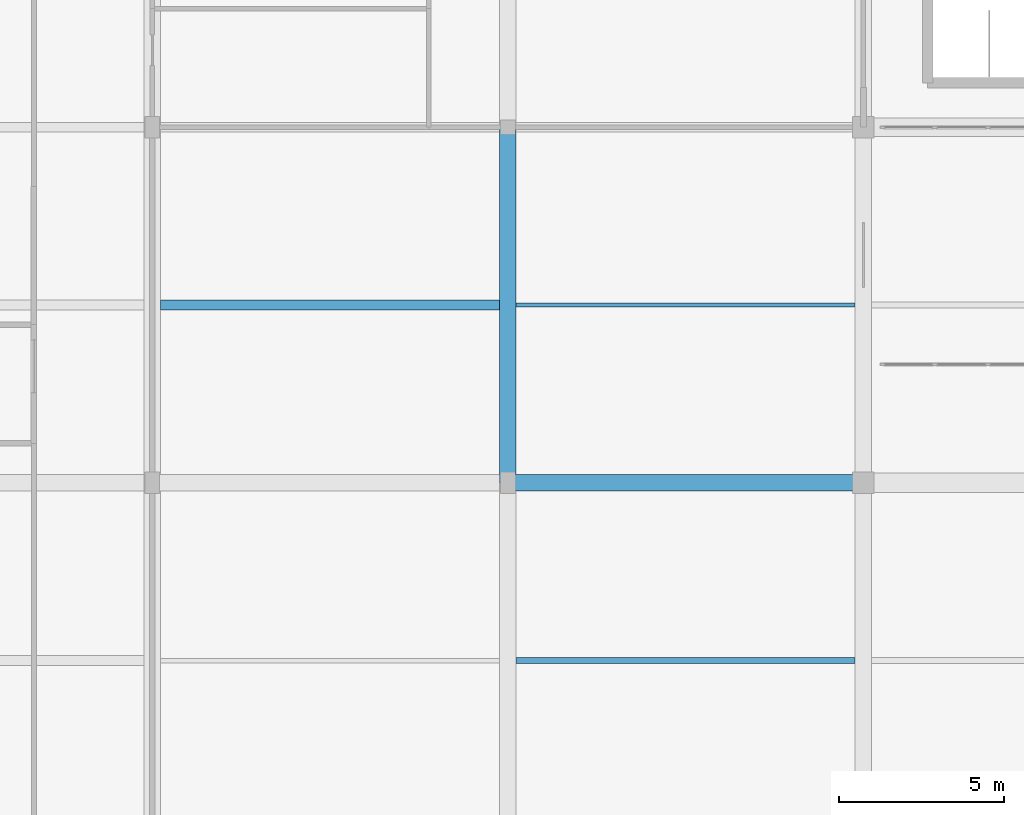
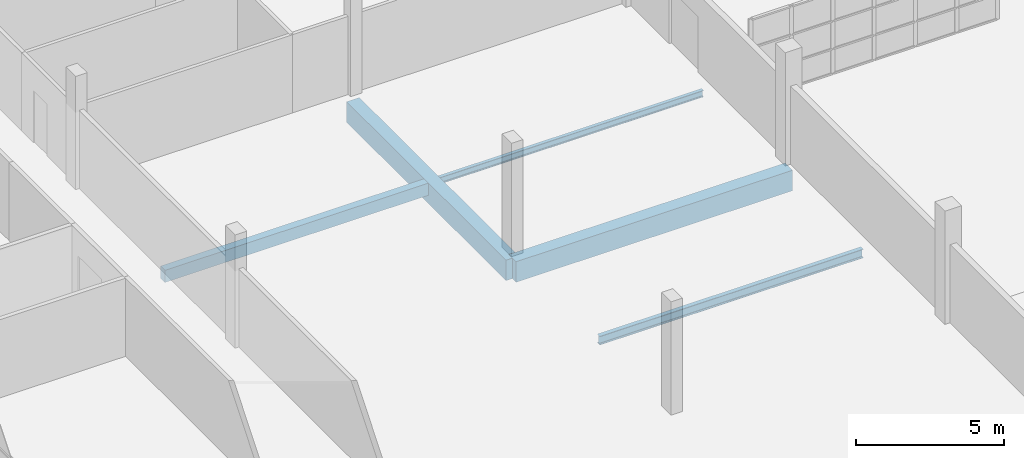
# One storey, part 37 of 142: 5 beams.
"""IFC4 building model written with IfcOpenShell, lengths in metres."""

from ifc_helpers import new_model, si_unit, direction, frame, origin, origin_2d, place, context, subcontext, project, spatial, rectangle, i_section, extrude, material, material_profile, profile_set, type_object, element, save


model = new_model("IFC4")

# Units and contexts
model_context = context("Model", 3, precision=1e-05, world=origin(), true_north=direction((0.0, 1.0)))
body_context = subcontext(model_context, "Body", "Model", "MODEL_VIEW")
ifc_project = project(units=[si_unit("LENGTHUNIT", "METRE"), si_unit("AREAUNIT", "SQUARE_METRE"), si_unit("VOLUMEUNIT", "CUBIC_METRE"), si_unit("PLANEANGLEUNIT", "RADIAN"), si_unit("MASSUNIT", "GRAM", prefix="KILO")], contexts=[model_context])

# Site, building, storey
site_placement = place(None, origin())
site = spatial("IfcSite", under=ifc_project, at=site_placement, CompositionType="ELEMENT")
building_placement = place(site_placement, origin())
building = spatial("IfcBuilding", under=site, at=building_placement, Name="Zwinboog Wholesale Market", CompositionType="ELEMENT")
storey_placement = place(building_placement, frame((0.0, 0.0, 5.39990234375)))
storey = spatial("IfcBuildingStorey", under=building, at=storey_placement, Name="L01", CompositionType="ELEMENT", Elevation=5.39990234375)

# Beams
ifc_material_1 = material(Name="Precast concrete C45/55", Category="concrete")
ifc_material_profile_1 = material_profile(ifc_material_1, rectangle(XDim=0.5, YDim=0.85009765625, at=origin_2d()), Name="PC 500x850")
ifc_profile_set_1 = profile_set([ifc_material_profile_1], Name="Precast concrete C45/55")
beam_type_1 = type_object("IfcBeamType", Name="BT-03", PredefinedType="BEAM", material=ifc_profile_set_1)
for number, where, z_axis, x_axis, name in (
    (1, (54.0, 86.39990234375, -0.7568359375), (1.0, 0.0, 0.0), (0.0, 1.0, 0.0), "BG-03 (BMG-L01-0540-0864-0514)"),
    (2, (54.0, 86.39990234375, -0.7568359375), (0.0, 1.0, 0.0), (-1.0, 0.0, 0.0), "BG-03 (BMG-L01-0540-0864-0661)"),
):
    element("IfcBeam", number, at=place(storey_placement, frame(where, z_axis=z_axis, x_axis=x_axis)), inside=storey, type_object=beam_type_1, Name=name, PredefinedType="BEAM", context=body_context, shape_type="SweptSolid", body=[
        extrude(rectangle(XDim=0.5, YDim=0.85009765625, at=origin_2d()), origin(), (0.0, 0.0, 1.0), 10.800048828125),
    ])
ifc_material_profile_2 = material_profile(ifc_material_1, rectangle(XDim=0.300048828125, YDim=0.5, at=origin_2d()), Name="PC 300x500")
ifc_profile_set_2 = profile_set([ifc_material_profile_2], Name="Precast concrete C45/55")
beam_type_2 = type_object("IfcBeamType", Name="BT-10", PredefinedType="JOIST", material=ifc_profile_set_2)
beam_1_placement = place(storey_placement, frame((43.449951171875, 91.800048828125, -0.581787109375), z_axis=(1.0, 0.0, 0.0), x_axis=(0.0, 1.0, 0.0)))
element("IfcBeam", 3, at=beam_1_placement, inside=storey, type_object=beam_type_2, Name="BJ-01 (BMG-L01-0434-0918-0811)", PredefinedType="JOIST", context=body_context, shape_type="SweptSolid", body=[
    extrude(rectangle(XDim=0.300048828125, YDim=0.5, at=origin_2d()), origin(), (0.0, 0.0, 1.0), 10.300048828125),
])
ifc_material_2 = material(Name="Steel S355", Category="steel")
ifc_material_profile_3 = material_profile(ifc_material_2, i_section(OverallWidth=0.169921875, OverallDepth=0.360107421875, WebThickness=0.008056640625, FlangeThickness=0.0126953125, FilletRadius=0.01806640625, at=origin_2d()), Name="IPE 360")
ifc_profile_set_3 = profile_set([ifc_material_profile_3], Name="Steel S355")
beam_type_3 = type_object("IfcBeamType", Name="BT-20", PredefinedType="JOIST", material=ifc_profile_set_3)
beam_2_placement = place(storey_placement, frame((54.25, 81.0, -0.511962890625), z_axis=(1.0, 0.0, 0.0), x_axis=(0.0, 1.0, 0.0)))
element("IfcBeam", 4, at=beam_2_placement, inside=storey, type_object=beam_type_3, Name="SJ-03 (BMG-L01-0542-0810-0814)", PredefinedType="JOIST", context=body_context, shape_type="SweptSolid", body=[
    extrude(i_section(OverallWidth=0.169921875, OverallDepth=0.360107421875, WebThickness=0.008056640625, FlangeThickness=0.0126953125, FilletRadius=0.01806640625, at=origin_2d()), origin(), (0.0, 0.0, 1.0), 10.300048828125),
])
ifc_material_profile_4 = material_profile(ifc_material_2, i_section(OverallWidth=0.135009765625, OverallDepth=0.27001953125, WebThickness=0.006591796875, FlangeThickness=0.01025390625, FilletRadius=0.014892578125, at=origin_2d()), Name="IPE 270")
ifc_profile_set_4 = profile_set([ifc_material_profile_4], Name="Steel S355")
beam_type_4 = type_object("IfcBeamType", Name="BT-21", PredefinedType="JOIST", material=ifc_profile_set_4)
beam_3_placement = place(storey_placement, frame((54.25, 91.800048828125, -0.466796875), z_axis=(1.0, 0.0, 0.0), x_axis=(0.0, 1.0, 0.0)))
element("IfcBeam", 5, at=beam_3_placement, inside=storey, type_object=beam_type_4, Name="SJ-04 (BMG-L01-0542-0918-0815)", PredefinedType="JOIST", context=body_context, shape_type="SweptSolid", body=[
    extrude(i_section(OverallWidth=0.135009765625, OverallDepth=0.27001953125, WebThickness=0.006591796875, FlangeThickness=0.01025390625, FilletRadius=0.014892578125, at=origin_2d()), origin(), (0.0, 0.0, 1.0), 10.300048828125),
])

save(model, "model.ifc")
